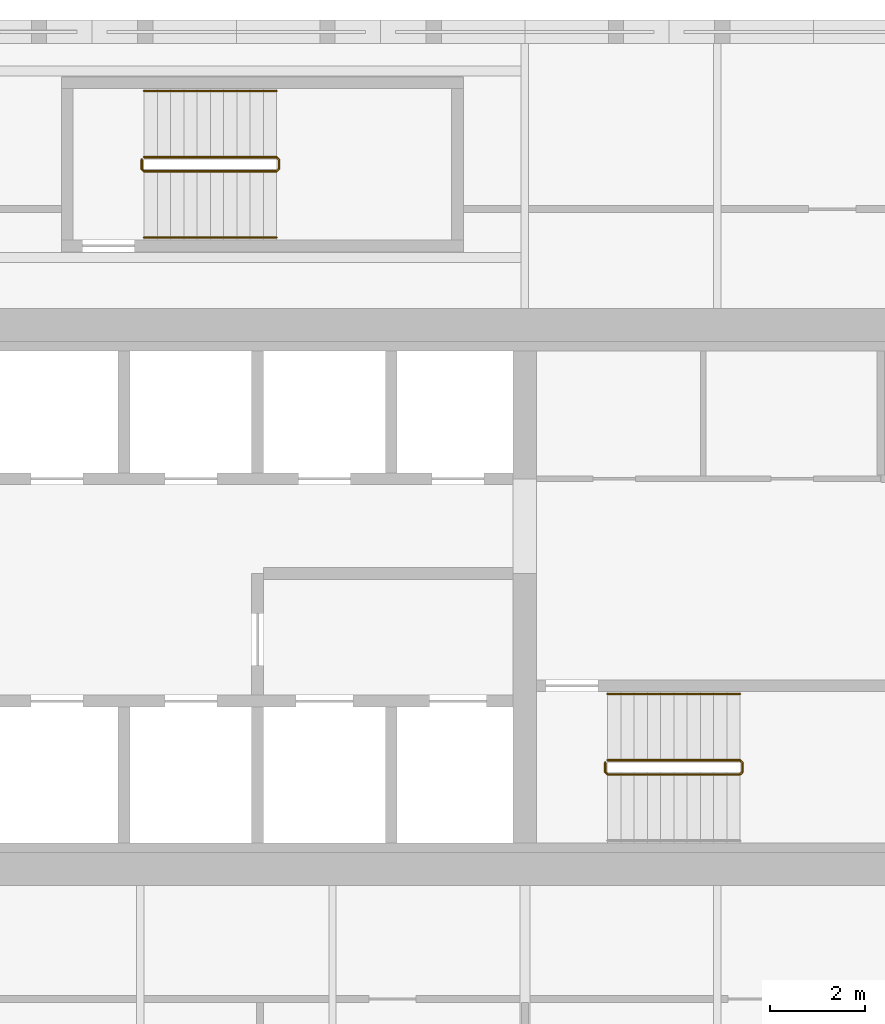
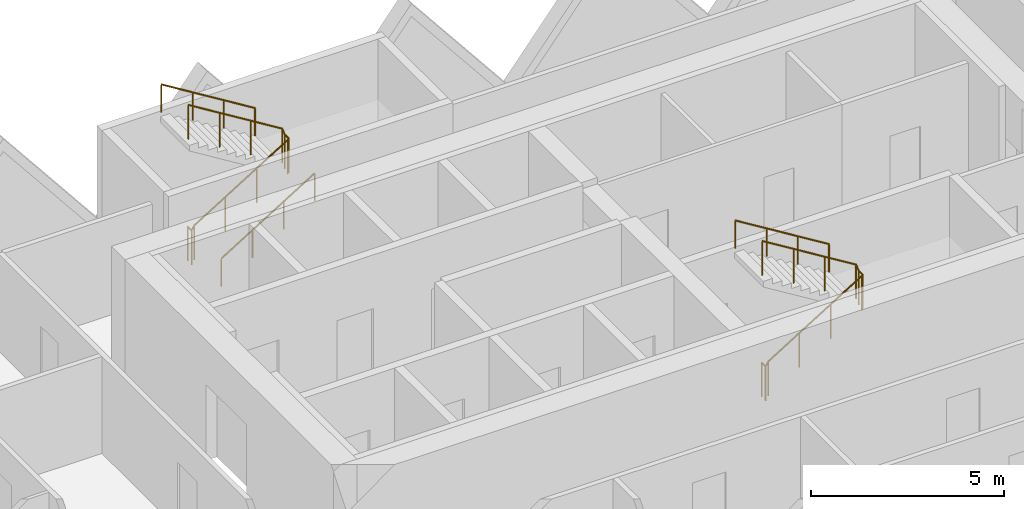
# One storey, part 19 of 19: 5 railings.
"""IFC4 building model written with IfcOpenShell, lengths in metres."""

from ifc_helpers import new_model, si_unit, direction, frame, origin, origin_2d, place, context, subcontext, project, spatial, circle, extrude, material, type_object, element, save


model = new_model("IFC4")

# Units and contexts
model_context = context("Model", 3, precision=1e-05, world=origin(), true_north=direction((0.0, 1.0)))
body_context = subcontext(model_context, "Body", "Model", "MODEL_VIEW")
ifc_project = project(units=[si_unit("LENGTHUNIT", "METRE"), si_unit("AREAUNIT", "SQUARE_METRE"), si_unit("VOLUMEUNIT", "CUBIC_METRE"), si_unit("PLANEANGLEUNIT", "RADIAN"), si_unit("MASSUNIT", "GRAM", prefix="KILO")], contexts=[model_context])

# Site, building, storey
site_placement = place(None, origin())
site = spatial("IfcSite", under=ifc_project, at=site_placement, CompositionType="ELEMENT")
building_placement = place(site_placement, origin())
building = spatial("IfcBuilding", under=site, at=building_placement, Name="Tessera Gate Towers", CompositionType="ELEMENT")
storey_placement = place(building_placement, frame((0.0, 0.0, 33.39990234375)))
storey = spatial("IfcBuildingStorey", under=building, at=storey_placement, Name="L07", CompositionType="ELEMENT", Elevation=33.39990234375)

# Railings
ifc_material_1 = material(Name="Steel 350W", Category="steel")
railing_type_1 = type_object("IfcRailingType", Name="STAIR GUARD 1100", PredefinedType="GUARDRAIL", material=ifc_material_1)
railing_1_placement = place(storey_placement, frame((111.5, 39.199951171875, 0.0)))
element("IfcRailing", 1, at=railing_1_placement, inside=storey, type_object=railing_type_1, Name="L07 ST6 stair guard 1", PredefinedType="GUARDRAIL", context=body_context, shape_type="SweptSolid", body=[
    extrude(circle(Radius=0.02392578125, at=origin_2d()), frame((0.0, 0.0, 1.076171875), z_axis=(0.0, -1.0, 0.0), x_axis=(1.0, 0.0, 0.0)), (0.0, 0.0, 1.0), 0.199951171875),
    extrude(circle(Radius=0.02392578125, at=origin_2d()), frame((0.0, -0.199951171875, 1.076171875), z_axis=(0.267953482034, -0.267953482034, 0.925419830635), x_axis=(0.707106781187, 0.707106781187, 0.0)), (0.0, 0.0, 1.0), 0.186767578125),
    extrude(circle(Radius=0.02392578125, at=origin_2d()), frame((0.050048828125, -0.25, 1.2490234375), z_axis=(0.851089632645, 0.0, 0.525020415988), x_axis=(0.0, 1.0, 0.0)), (0.0, 0.0, 1.0), 3.2900390625),
    extrude(circle(Radius=0.02392578125, at=origin_2d()), frame((2.85009765625, -0.25, 2.97607421875), z_axis=(0.705375805398, 0.708833529934, 0.0), x_axis=(-0.708833529934, 0.705375805398, 0.0)), (0.0, 0.0, 1.0), 0.070556640625),
    extrude(circle(Radius=0.02392578125, at=origin_2d()), frame((2.89990234375, -0.199951171875, 2.97607421875), z_axis=(0.0, 1.0, 0.0), x_axis=(-1.0, 0.0, 0.0)), (0.0, 0.0, 1.0), 0.199951171875),
    extrude(circle(Radius=0.02392578125, at=origin_2d()), frame((2.89990234375, 0.0, 2.97607421875), z_axis=(-0.267062837333, 0.268371968888, 0.925556009775), x_axis=(-0.708833529934, -0.705375805398, 0.0)), (0.0, 0.0, 1.0), 0.1865234375),
    extrude(circle(Radius=0.02392578125, at=origin_2d()), frame((2.85009765625, 0.050048828125, 3.14892578125), z_axis=(-0.851089632645, 0.0, 0.525020415988), x_axis=(0.0, -1.0, 0.0)), (0.0, 0.0, 1.0), 3.2900390625),
    extrude(circle(Radius=0.02099609375, at=origin_2d()), origin(), (0.0, 0.0, 1.0), 1.052001953125),
    extrude(circle(Radius=0.02099609375, at=origin_2d()), frame((0.0, -0.199951171875, 0.0)), (0.0, 0.0, 1.0), 1.052001953125),
    extrude(circle(Radius=0.02099609375, at=origin_2d()), frame((0.050048828125, -0.25, 0.1728515625)), (0.0, 0.0, 1.0), 1.052001953125),
    extrude(circle(Radius=0.02099609375, at=origin_2d()), frame((0.9833984375, -0.25, 0.74853515625)), (0.0, 0.0, 1.0), 1.052001953125),
    extrude(circle(Radius=0.02099609375, at=origin_2d()), frame((1.916748046875, -0.25, 1.324462890625)), (0.0, 0.0, 1.0), 1.052001953125),
    extrude(circle(Radius=0.02099609375, at=origin_2d()), frame((2.85009765625, -0.25, 1.900146484375)), (0.0, 0.0, 1.0), 1.052001953125),
    extrude(circle(Radius=0.02099609375, at=origin_2d()), frame((2.89990234375, -0.199951171875, 1.900146484375)), (0.0, 0.0, 1.0), 1.052001953125),
    extrude(circle(Radius=0.02099609375, at=origin_2d()), frame((2.89990234375, 0.0, 1.900146484375)), (0.0, 0.0, 1.0), 1.052001953125),
    extrude(circle(Radius=0.02099609375, at=origin_2d()), frame((2.85009765625, 0.050048828125, 2.07275390625)), (0.0, 0.0, 1.0), 1.052001953125),
    extrude(circle(Radius=0.02099609375, at=origin_2d()), frame((1.916748046875, 0.050048828125, 2.6484375)), (0.0, 0.0, 1.0), 1.052001953125),
    extrude(circle(Radius=0.02099609375, at=origin_2d()), frame((0.9833984375, 0.050048828125, 3.224365234375)), (0.0, 0.0, 1.0), 1.052001953125),
    extrude(circle(Radius=0.02099609375, at=origin_2d()), frame((0.050048828125, 0.050048828125, 3.800048828125)), (0.0, 0.0, 1.0), 1.052001953125),
])
railing_2_placement = place(storey_placement, frame((101.699951171875, 51.949951171875, 0.0)))
element("IfcRailing", 2, at=railing_2_placement, inside=storey, type_object=railing_type_1, Name="L07 ST7 stair guard 1", PredefinedType="GUARDRAIL", context=body_context, shape_type="SweptSolid", body=[
    extrude(circle(Radius=0.02392578125, at=origin_2d()), frame((0.0, 0.0, 1.076171875), z_axis=(0.0, -1.0, 0.0), x_axis=(1.0, 0.0, 0.0)), (0.0, 0.0, 1.0), 0.199951171875),
    extrude(circle(Radius=0.02392578125, at=origin_2d()), frame((0.0, -0.199951171875, 1.076171875), z_axis=(0.267953482034, -0.267953482034, 0.925419830635), x_axis=(0.707106781187, 0.707106781187, 0.0)), (0.0, 0.0, 1.0), 0.186767578125),
    extrude(circle(Radius=0.02392578125, at=origin_2d()), frame((0.050048828125, -0.25, 1.2490234375), z_axis=(0.851089632645, 0.0, 0.525020415988), x_axis=(0.0, 1.0, 0.0)), (0.0, 0.0, 1.0), 3.2900390625),
    extrude(circle(Radius=0.02392578125, at=origin_2d()), frame((2.85009765625, -0.25, 2.97607421875), z_axis=(0.707106781187, 0.707106781187, 0.0), x_axis=(-0.707106781187, 0.707106781187, 0.0)), (0.0, 0.0, 1.0), 0.07080078125),
    extrude(circle(Radius=0.02392578125, at=origin_2d()), frame((2.900146484375, -0.199951171875, 2.97607421875), z_axis=(0.0, 1.0, 0.0), x_axis=(-1.0, 0.0, 0.0)), (0.0, 0.0, 1.0), 0.199951171875),
    extrude(circle(Radius=0.02392578125, at=origin_2d()), frame((2.900146484375, 0.0, 2.97607421875), z_axis=(-0.268277960024, 0.268277960024, 0.925231793839), x_axis=(-0.707106781187, -0.707106781187, 0.0)), (0.0, 0.0, 1.0), 0.1865234375),
    extrude(circle(Radius=0.02392578125, at=origin_2d()), frame((2.85009765625, 0.050048828125, 3.14892578125), z_axis=(-0.851089632645, 0.0, 0.525020415988), x_axis=(0.0, -1.0, 0.0)), (0.0, 0.0, 1.0), 3.2900390625),
    extrude(circle(Radius=0.02099609375, at=origin_2d()), origin(), (0.0, 0.0, 1.0), 1.052001953125),
    extrude(circle(Radius=0.02099609375, at=origin_2d()), frame((0.0, -0.199951171875, 0.0)), (0.0, 0.0, 1.0), 1.052001953125),
    extrude(circle(Radius=0.02099609375, at=origin_2d()), frame((0.050048828125, -0.25, 0.1728515625)), (0.0, 0.0, 1.0), 1.052001953125),
    extrude(circle(Radius=0.02099609375, at=origin_2d()), frame((0.9833984375, -0.25, 0.74853515625)), (0.0, 0.0, 1.0), 1.052001953125),
    extrude(circle(Radius=0.02099609375, at=origin_2d()), frame((1.916748046875, -0.25, 1.324462890625)), (0.0, 0.0, 1.0), 1.052001953125),
    extrude(circle(Radius=0.02099609375, at=origin_2d()), frame((2.85009765625, -0.25, 1.900146484375)), (0.0, 0.0, 1.0), 1.052001953125),
    extrude(circle(Radius=0.02099609375, at=origin_2d()), frame((2.900146484375, -0.199951171875, 1.900146484375)), (0.0, 0.0, 1.0), 1.052001953125),
    extrude(circle(Radius=0.02099609375, at=origin_2d()), frame((2.900146484375, 0.0, 1.900146484375)), (0.0, 0.0, 1.0), 1.052001953125),
    extrude(circle(Radius=0.02099609375, at=origin_2d()), frame((2.85009765625, 0.050048828125, 2.07275390625)), (0.0, 0.0, 1.0), 1.052001953125),
    extrude(circle(Radius=0.02099609375, at=origin_2d()), frame((1.916748046875, 0.050048828125, 2.6484375)), (0.0, 0.0, 1.0), 1.052001953125),
    extrude(circle(Radius=0.02099609375, at=origin_2d()), frame((0.9833984375, 0.050048828125, 3.224365234375)), (0.0, 0.0, 1.0), 1.052001953125),
    extrude(circle(Radius=0.02099609375, at=origin_2d()), frame((0.050048828125, 0.050048828125, 3.800048828125)), (0.0, 0.0, 1.0), 1.052001953125),
])
ifc_material_2 = material(Name="Steel 350W", Category="steel")
railing_type_2 = type_object("IfcRailingType", Name="STAIR HANDRAIL 900", PredefinedType="HANDRAIL", material=ifc_material_2)
railing_3_placement = place(storey_placement, frame((114.35009765625, 40.64990234375, 2.07275390625)))
element("IfcRailing", 3, at=railing_3_placement, inside=storey, type_object=railing_type_2, Name="L07 ST6 stair handrail 2", PredefinedType="HANDRAIL", context=body_context, shape_type="SweptSolid", body=[
    extrude(circle(Radius=0.02392578125, at=origin_2d()), frame((0.0, 0.0, 0.8759765625), z_axis=(-0.851089632645, 0.0, 0.525020415988), x_axis=(0.0, -1.0, 0.0)), (0.0, 0.0, 1.0), 3.2900390625),
    extrude(circle(Radius=0.02099609375, at=origin_2d()), origin(), (0.0, 0.0, 1.0), 0.851806640625),
    extrude(circle(Radius=0.02099609375, at=origin_2d()), frame((-0.933349609375, 0.0, 0.57568359375)), (0.0, 0.0, 1.0), 0.851806640625),
    extrude(circle(Radius=0.02099609375, at=origin_2d()), frame((-1.86669921875, 0.0, 1.151611328125)), (0.0, 0.0, 1.0), 0.851806640625),
    extrude(circle(Radius=0.02099609375, at=origin_2d()), frame((-2.800048828125, 0.0, 1.727294921875)), (0.0, 0.0, 1.0), 0.851806640625),
])
railing_4_placement = place(storey_placement, frame((101.75, 50.300048828125, 0.1728515625)))
element("IfcRailing", 4, at=railing_4_placement, inside=storey, type_object=railing_type_2, Name="L07 ST7 stair handrail 1", PredefinedType="HANDRAIL", context=body_context, shape_type="SweptSolid", body=[
    extrude(circle(Radius=0.02392578125, at=origin_2d()), frame((0.0, 0.0, 0.8759765625), z_axis=(0.851089632645, 0.0, 0.525020415988), x_axis=(0.0, 1.0, 0.0)), (0.0, 0.0, 1.0), 3.2900390625),
    extrude(circle(Radius=0.02099609375, at=origin_2d()), origin(), (0.0, 0.0, 1.0), 0.851806640625),
    extrude(circle(Radius=0.02099609375, at=origin_2d()), frame((0.933349609375, 0.0, 0.57568359375)), (0.0, 0.0, 1.0), 0.851806640625),
    extrude(circle(Radius=0.02099609375, at=origin_2d()), frame((1.86669921875, 0.0, 1.151611328125)), (0.0, 0.0, 1.0), 0.851806640625),
    extrude(circle(Radius=0.02099609375, at=origin_2d()), frame((2.800048828125, 0.0, 1.727294921875)), (0.0, 0.0, 1.0), 0.851806640625),
])
railing_5_placement = place(storey_placement, frame((104.550048828125, 53.39990234375, 2.07275390625)))
element("IfcRailing", 5, at=railing_5_placement, inside=storey, type_object=railing_type_2, Name="L07 ST7 stair handrail 2", PredefinedType="HANDRAIL", context=body_context, shape_type="SweptSolid", body=[
    extrude(circle(Radius=0.02392578125, at=origin_2d()), frame((0.0, 0.0, 0.8759765625), z_axis=(-0.851089632645, 0.0, 0.525020415988), x_axis=(0.0, -1.0, 0.0)), (0.0, 0.0, 1.0), 3.2900390625),
    extrude(circle(Radius=0.02099609375, at=origin_2d()), origin(), (0.0, 0.0, 1.0), 0.851806640625),
    extrude(circle(Radius=0.02099609375, at=origin_2d()), frame((-0.933349609375, 0.0, 0.57568359375)), (0.0, 0.0, 1.0), 0.851806640625),
    extrude(circle(Radius=0.02099609375, at=origin_2d()), frame((-1.86669921875, 0.0, 1.151611328125)), (0.0, 0.0, 1.0), 0.851806640625),
    extrude(circle(Radius=0.02099609375, at=origin_2d()), frame((-2.800048828125, 0.0, 1.727294921875)), (0.0, 0.0, 1.0), 0.851806640625),
])

save(model, "model.ifc")
